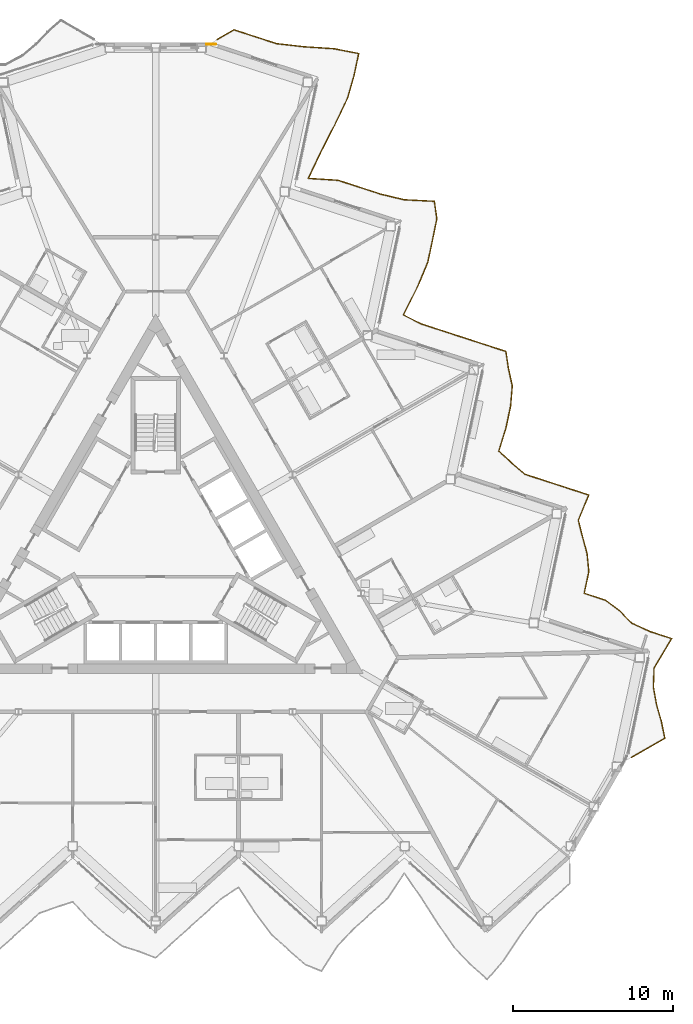
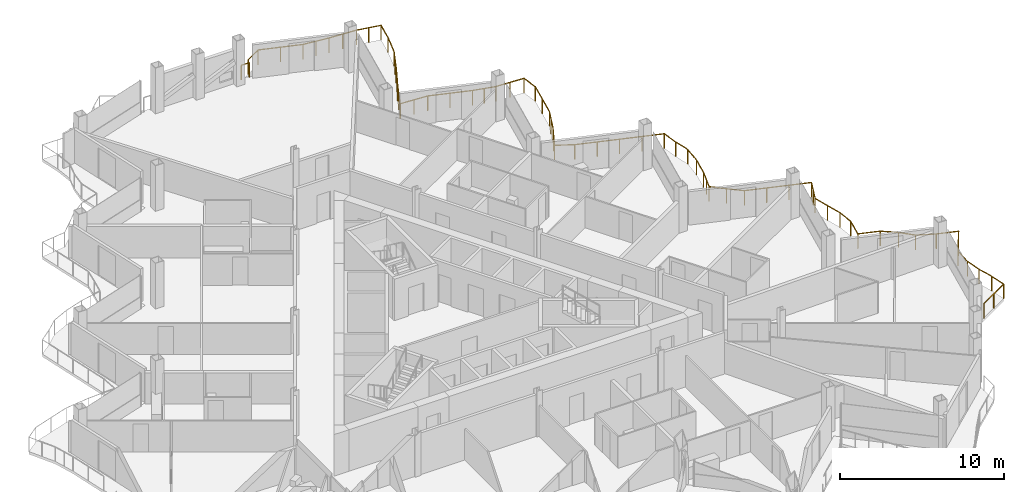
# One storey, part 26 of 28: 2 railings.
"""IFC4 building model written with IfcOpenShell, lengths in metres."""

from ifc_helpers import new_model, si_unit, direction, frame, origin, origin_2d, place, context, subcontext, project, spatial, circle, extrude, material, type_object, element, save


model = new_model("IFC4")

# Units and contexts
model_context = context("Model", 3, precision=1e-05, world=origin(), true_north=direction((0.0, 1.0)))
body_context = subcontext(model_context, "Body", "Model", "MODEL_VIEW")
ifc_project = project(units=[si_unit("LENGTHUNIT", "METRE"), si_unit("AREAUNIT", "SQUARE_METRE"), si_unit("VOLUMEUNIT", "CUBIC_METRE"), si_unit("PLANEANGLEUNIT", "RADIAN"), si_unit("MASSUNIT", "GRAM", prefix="KILO")], contexts=[model_context])

# Site, building, storey
site_placement = place(None, origin())
site = spatial("IfcSite", under=ifc_project, at=site_placement, CompositionType="ELEMENT")
building_placement = place(site_placement, origin())
building = spatial("IfcBuilding", under=site, at=building_placement, Name="Cormorant Prow Tower", CompositionType="ELEMENT")
storey_placement = place(building_placement, frame((0.0, 0.0, 301.800048828125)))
storey = spatial("IfcBuildingStorey", under=building, at=storey_placement, Name="L65", CompositionType="ELEMENT", Elevation=301.800048828125)

# Railings
ifc_material_1 = material(Name="Aluminium 6063-T6", Category="aluminium")
railing_type_1 = type_object("IfcRailingType", Name="Balcony guard 1100", PredefinedType="GUARDRAIL", material=ifc_material_1)
railing_1_placement = place(storey_placement, frame((29.80859375, -12.760009765625, 0.0)))
element("IfcRailing", 1, at=railing_1_placement, inside=storey, type_object=railing_type_1, Name="Balcony guard ENE", PredefinedType="GUARDRAIL", context=body_context, shape_type="SweptSolid", body=[
    extrude(circle(Radius=0.02392578125, at=origin_2d()), frame((0.0, 0.0, 1.076171875), z_axis=(0.866028295127, 0.499994992015, 0.0), x_axis=(-0.499994992015, 0.866028295127, 0.0)), (0.0, 0.0, 1.0), 2.40380859375),
    extrude(circle(Radius=0.02392578125, at=origin_2d()), frame((2.081787109375, 1.201904296875, 1.076171875), z_axis=(-0.202207057939, 0.979342792754, 0.0), x_axis=(-0.979342792754, -0.202207057939, 0.0)), (0.0, 0.0, 1.0), 1.093994140625),
    extrude(circle(Radius=0.02392578125, at=origin_2d()), frame((1.860595703125, 2.273193359375, 1.076171875), z_axis=(-0.276167758469, 0.961109447036, 0.0), x_axis=(-0.961109447036, -0.276167758469, 0.0)), (0.0, 0.0, 1.0), 1.069580078125),
    extrude(circle(Radius=0.02392578125, at=origin_2d()), frame((1.565185546875, 3.30126953125, 1.076171875), z_axis=(-0.17982077973, 0.983699388623, 0.0), x_axis=(-0.983699388623, -0.17982077973, 0.0)), (0.0, 0.0, 1.0), 1.1025390625),
    extrude(circle(Radius=0.02392578125, at=origin_2d()), frame((1.366943359375, 4.3857421875, 1.076171875), z_axis=(0.034901891856, 0.999390743376, 0.0), x_axis=(-0.999390743376, 0.034901891856, 0.0)), (0.0, 0.0, 1.0), 1.22412109375),
    extrude(circle(Radius=0.02392578125, at=origin_2d()), frame((1.40966796875, 5.609130859375, 1.076171875), z_axis=(0.514159813078, 0.857694401647, 0.0), x_axis=(-0.857694401647, 0.514159813078, 0.0)), (0.0, 0.0, 1.0), 2.1376953125),
    extrude(circle(Radius=0.02392578125, at=origin_2d()), frame((2.5087890625, 7.442626953125, 1.076171875), z_axis=(-0.951067455121, 0.308983326103, 0.0), x_axis=(-0.308983326103, -0.951067455121, 0.0)), (0.0, 0.0, 1.0), 1.39697265625),
    extrude(circle(Radius=0.02392578125, at=origin_2d()), frame((1.18017578125, 7.874267578125, 1.076171875), z_axis=(-0.910621709628, 0.413240973227, 0.0), x_axis=(-0.413240973227, -0.910621709628, 0.0)), (0.0, 0.0, 1.0), 1.276611328125),
    extrude(circle(Radius=0.02392578125, at=origin_2d()), frame((0.017578125, 8.40185546875, 1.076171875), z_axis=(-0.70173759295, 0.712435506303, 0.0), x_axis=(-0.712435506303, -0.70173759295, 0.0)), (0.0, 0.0, 1.0), 1.072509765625),
    extrude(circle(Radius=0.02392578125, at=origin_2d()), frame((-0.735107421875, 9.166015625, 1.076171875), z_axis=(-0.799142264692, 0.601141947283, 0.0), x_axis=(-0.601141947283, -0.799142264692, 0.0)), (0.0, 0.0, 1.0), 1.128173828125),
    extrude(circle(Radius=0.02392578125, at=origin_2d()), frame((-1.63671875, 9.84423828125, 1.076171875), z_axis=(-0.951016087818, 0.309141392751, 0.0), x_axis=(-0.309141392751, -0.951016087818, 0.0)), (0.0, 0.0, 1.0), 1.39697265625),
    extrude(circle(Radius=0.02392578125, at=origin_2d()), frame((-2.96533203125, 10.276123046875, 1.076171875), z_axis=(0.207965351097, 0.978136193351, 0.0), x_axis=(-0.978136193351, 0.207965351097, 0.0)), (0.0, 0.0, 1.0), 1.39697265625),
    extrude(circle(Radius=0.02392578125, at=origin_2d()), frame((-2.6748046875, 11.642578125, 1.076171875), z_axis=(-0.10014063101, 0.994973293119, 0.0), x_axis=(-0.994973293119, -0.10014063101, 0.0)), (0.0, 0.0, 1.0), 1.138427734375),
    extrude(circle(Radius=0.02392578125, at=origin_2d()), frame((-2.788818359375, 12.775390625, 1.076171875), z_axis=(-0.263617766506, 0.964627219802, 0.0), x_axis=(-0.964627219802, -0.263617766506, 0.0)), (0.0, 0.0, 1.0), 1.073486328125),
    extrude(circle(Radius=0.02392578125, at=origin_2d()), frame((-3.07177734375, 13.810791015625, 1.076171875), z_axis=(-0.243546445882, 0.969889235273, 0.0), x_axis=(-0.969889235273, -0.243546445882, 0.0)), (0.0, 0.0, 1.0), 1.07958984375),
    extrude(circle(Radius=0.02392578125, at=origin_2d()), frame((-3.334716796875, 14.85791015625, 1.076171875), z_axis=(0.382642581018, 0.923896452635, 0.0), x_axis=(-0.923896452635, 0.382642581018, 0.0)), (0.0, 0.0, 1.0), 1.70556640625),
    extrude(circle(Radius=0.02392578125, at=origin_2d()), frame((-2.68212890625, 16.43359375, 1.076171875), z_axis=(-0.951067455121, 0.308983326103, 0.0), x_axis=(-0.308983326103, -0.951067455121, 0.0)), (0.0, 0.0, 1.0), 1.39697265625),
    extrude(circle(Radius=0.02392578125, at=origin_2d()), frame((-4.0107421875, 16.865234375, 1.076171875), z_axis=(-0.951084135834, 0.308931977247, 0.0), x_axis=(-0.308931977247, -0.951084135834, 0.0)), (0.0, 0.0, 1.0), 1.397216796875),
    extrude(circle(Radius=0.02392578125, at=origin_2d()), frame((-5.339599609375, 17.296875, 1.076171875), z_axis=(-0.951067455121, 0.308983326103, 0.0), x_axis=(-0.308983326103, -0.951067455121, 0.0)), (0.0, 0.0, 1.0), 1.39697265625),
    extrude(circle(Radius=0.02392578125, at=origin_2d()), frame((-6.668212890625, 17.728515625, 1.076171875), z_axis=(-0.761737069825, 0.647886283582, 0.0), x_axis=(-0.647886283582, -0.761737069825, 0.0)), (0.0, 0.0, 1.0), 1.102294921875),
    extrude(circle(Radius=0.02392578125, at=origin_2d()), frame((-7.5078125, 18.442626953125, 1.076171875), z_axis=(-0.742626435866, 0.669705888248, 0.0), x_axis=(-0.669705888248, -0.742626435866, 0.0)), (0.0, 0.0, 1.0), 1.091552734375),
    extrude(circle(Radius=0.02392578125, at=origin_2d()), frame((-8.318359375, 19.173583984375, 1.076171875), z_axis=(0.296127914995, 0.955148291084, 0.0), x_axis=(-0.955148291084, 0.296127914995, 0.0)), (0.0, 0.0, 1.0), 1.528564453125),
    extrude(circle(Radius=0.02392578125, at=origin_2d()), frame((-7.86572265625, 20.633544921875, 1.076171875), z_axis=(0.207798139517, 0.978171729919, 0.0), x_axis=(-0.978171729919, 0.207798139517, 0.0)), (0.0, 0.0, 1.0), 1.39697265625),
    extrude(circle(Radius=0.02392578125, at=origin_2d()), frame((-7.575439453125, 22.0, 1.076171875), z_axis=(0.083988187629, 0.996466750242, 0.0), x_axis=(-0.996466750242, 0.083988187629, 0.0)), (0.0, 0.0, 1.0), 1.264404296875),
    extrude(circle(Radius=0.02392578125, at=origin_2d()), frame((-7.46923828125, 23.260009765625, 1.076171875), z_axis=(-0.216170602832, 0.976355606565, 0.0), x_axis=(-0.976355606565, -0.216170602832, 0.0)), (0.0, 0.0, 1.0), 1.088623046875),
    extrude(circle(Radius=0.02392578125, at=origin_2d()), frame((-7.70458984375, 24.322998046875, 1.076171875), z_axis=(-0.151168121977, 0.988508067189, 0.0), x_axis=(-0.988508067189, -0.151168121977, 0.0)), (0.0, 0.0, 1.0), 1.1142578125),
    extrude(circle(Radius=0.02392578125, at=origin_2d()), frame((-7.873046875, 25.424560546875, 1.076171875), z_axis=(-0.951084135834, 0.308931977247, 0.0), x_axis=(-0.308931977247, -0.951084135834, 0.0)), (0.0, 0.0, 1.0), 1.397216796875),
    extrude(circle(Radius=0.02392578125, at=origin_2d()), frame((-9.201904296875, 25.856201171875, 1.076171875), z_axis=(-0.951050766088, 0.309034691131, 0.0), x_axis=(-0.309034691131, -0.951050766088, 0.0)), (0.0, 0.0, 1.0), 1.396728515625),
    extrude(circle(Radius=0.02392578125, at=origin_2d()), frame((-10.5302734375, 26.287841796875, 1.076171875), z_axis=(-0.9510327847, 0.309090023174, 0.0), x_axis=(-0.309090023174, -0.9510327847, 0.0)), (0.0, 0.0, 1.0), 1.397216796875),
    extrude(circle(Radius=0.02392578125, at=origin_2d()), frame((-11.859130859375, 26.7197265625, 1.076171875), z_axis=(-0.951067455121, 0.308983326103, 0.0), x_axis=(-0.308983326103, -0.951067455121, 0.0)), (0.0, 0.0, 1.0), 1.39697265625),
    extrude(circle(Radius=0.02392578125, at=origin_2d()), frame((-13.187744140625, 27.1513671875, 1.076171875), z_axis=(-0.892410103967, 0.451225227949, 0.0), x_axis=(-0.451225227949, -0.892410103967, 0.0)), (0.0, 0.0, 1.0), 1.240234375),
    extrude(circle(Radius=0.02392578125, at=origin_2d()), frame((-14.29443359375, 27.7109375, 1.076171875), z_axis=(0.452393899594, 0.891818232382, 0.0), x_axis=(-0.891818232382, 0.452393899594, 0.0)), (0.0, 0.0, 1.0), 1.901123046875),
    extrude(circle(Radius=0.02392578125, at=origin_2d()), frame((-13.434326171875, 29.406494140625, 1.076171875), z_axis=(0.388463198386, 0.921464238861, 0.0), x_axis=(-0.921464238861, 0.388463198386, 0.0)), (0.0, 0.0, 1.0), 1.719482421875),
    extrude(circle(Radius=0.02392578125, at=origin_2d()), frame((-12.766357421875, 30.990966796875, 1.076171875), z_axis=(0.207965351097, 0.978136193351, 0.0), x_axis=(-0.978136193351, 0.207965351097, 0.0)), (0.0, 0.0, 1.0), 1.39697265625),
    extrude(circle(Radius=0.02392578125, at=origin_2d()), frame((-12.475830078125, 32.357421875, 1.076171875), z_axis=(0.202495261585, 0.979283242497, 0.0), x_axis=(-0.979283242497, 0.202495261585, 0.0)), (0.0, 0.0, 1.0), 1.39013671875),
    extrude(circle(Radius=0.02392578125, at=origin_2d()), frame((-12.1943359375, 33.71875, 1.076171875), z_axis=(-0.13839987533, 0.990376430711, 0.0), x_axis=(-0.990376430711, -0.13839987533, 0.0)), (0.0, 0.0, 1.0), 1.1201171875),
    extrude(circle(Radius=0.02392578125, at=origin_2d()), frame((-12.349365234375, 34.828125, 1.076171875), z_axis=(-0.998705371027, 0.050868279712, 0.0), x_axis=(-0.050868279712, -0.998705371027, 0.0)), (0.0, 0.0, 1.0), 1.91015625),
    extrude(circle(Radius=0.02392578125, at=origin_2d()), frame((-14.257080078125, 34.92529296875, 1.076171875), z_axis=(-0.972074559977, 0.23467221788, 0.0), x_axis=(-0.23467221788, -0.972074559977, 0.0)), (0.0, 0.0, 1.0), 1.50634765625),
    extrude(circle(Radius=0.02392578125, at=origin_2d()), frame((-15.721435546875, 35.27880859375, 1.076171875), z_axis=(-0.951067455121, 0.308983326103, 0.0), x_axis=(-0.308983326103, -0.951067455121, 0.0)), (0.0, 0.0, 1.0), 1.39697265625),
    extrude(circle(Radius=0.02392578125, at=origin_2d()), frame((-17.050048828125, 35.71044921875, 1.076171875), z_axis=(-0.951067455121, 0.308983326103, 0.0), x_axis=(-0.308983326103, -0.951067455121, 0.0)), (0.0, 0.0, 1.0), 1.39697265625),
    extrude(circle(Radius=0.02392578125, at=origin_2d()), frame((-18.378662109375, 36.14208984375, 1.076171875), z_axis=(-0.997958137122, 0.063871406373, 0.0), x_axis=(-0.063871406373, -0.997958137122, 0.0)), (0.0, 0.0, 1.0), 1.873046875),
    extrude(circle(Radius=0.02392578125, at=origin_2d()), frame((-20.247802734375, 36.26171875, 1.076171875), z_axis=(0.430073253651, 0.902793994494, 0.0), x_axis=(-0.902793994494, 0.430073253651, 0.0)), (0.0, 0.0, 1.0), 1.831787109375),
    extrude(circle(Radius=0.02392578125, at=origin_2d()), frame((-19.4599609375, 37.91552734375, 1.076171875), z_axis=(0.457371028949, 0.889275964973, 0.0), x_axis=(-0.889275964973, 0.457371028949, 0.0)), (0.0, 0.0, 1.0), 1.91748046875),
    extrude(circle(Radius=0.02392578125, at=origin_2d()), frame((-18.5830078125, 39.62060546875, 1.076171875), z_axis=(0.432000849801, 0.901873198277, 0.0), x_axis=(-0.901873198277, 0.432000849801, 0.0)), (0.0, 0.0, 1.0), 1.837158203125),
    extrude(circle(Radius=0.02392578125, at=origin_2d()), frame((-17.789306640625, 41.277587890625, 1.076171875), z_axis=(0.276230142763, 0.961091519175, 0.0), x_axis=(-0.961091519175, 0.276230142763, 0.0)), (0.0, 0.0, 1.0), 1.495361328125),
    extrude(circle(Radius=0.02392578125, at=origin_2d()), frame((-17.376220703125, 42.71484375, 1.076171875), z_axis=(0.207798139517, 0.978171729919, 0.0), x_axis=(-0.978171729919, 0.207798139517, 0.0)), (0.0, 0.0, 1.0), 1.39697265625),
    extrude(circle(Radius=0.02392578125, at=origin_2d()), frame((-17.0859375, 44.081298828125, 1.076171875), z_axis=(-0.981811369359, 0.189858987137, 0.0), x_axis=(-0.189858987137, -0.981811369359, 0.0)), (0.0, 0.0, 1.0), 1.584228515625),
    extrude(circle(Radius=0.02392578125, at=origin_2d()), frame((-18.641357421875, 44.382080078125, 1.076171875), z_axis=(-0.997911492588, 0.064596075432, 0.0), x_axis=(-0.064596075432, -0.997911492588, 0.0)), (0.0, 0.0, 1.0), 1.870849609375),
    extrude(circle(Radius=0.02392578125, at=origin_2d()), frame((-20.50830078125, 44.5029296875, 1.076171875), z_axis=(-0.993502406121, 0.113811111199, 0.0), x_axis=(-0.113811111199, -0.993502406121, 0.0)), (0.0, 0.0, 1.0), 1.743896484375),
    extrude(circle(Radius=0.02392578125, at=origin_2d()), frame((-22.240966796875, 44.701416015625, 1.076171875), z_axis=(-0.951016087818, 0.309141392751, 0.0), x_axis=(-0.309141392751, -0.951016087818, 0.0)), (0.0, 0.0, 1.0), 1.39697265625),
    extrude(circle(Radius=0.02392578125, at=origin_2d()), frame((-23.569580078125, 45.13330078125, 1.076171875), z_axis=(-0.951067455121, 0.308983326103, 0.0), x_axis=(-0.308983326103, -0.951067455121, 0.0)), (0.0, 0.0, 1.0), 1.39697265625),
    extrude(circle(Radius=0.02392578125, at=origin_2d()), frame((-24.898193359375, 45.56494140625, 1.076171875), z_axis=(-0.866005645448, -0.500034220881, 0.0), x_axis=(0.500034220881, -0.866005645448, 0.0)), (0.0, 0.0, 1.0), 1.22021484375),
    extrude(circle(Radius=0.02099609375, at=origin_2d()), origin(), (0.0, 0.0, 1.0), 1.052001953125),
    extrude(circle(Radius=0.02099609375, at=origin_2d()), frame((1.041015625, 0.60107421875, 0.0)), (0.0, 0.0, 1.0), 1.052001953125),
    extrude(circle(Radius=0.02099609375, at=origin_2d()), frame((2.081787109375, 1.201904296875, 0.0)), (0.0, 0.0, 1.0), 1.052001953125),
    extrude(circle(Radius=0.02099609375, at=origin_2d()), frame((1.860595703125, 2.273193359375, 0.0)), (0.0, 0.0, 1.0), 1.052001953125),
    extrude(circle(Radius=0.02099609375, at=origin_2d()), frame((1.565185546875, 3.30126953125, 0.0)), (0.0, 0.0, 1.0), 1.052001953125),
    extrude(circle(Radius=0.02099609375, at=origin_2d()), frame((1.366943359375, 4.3857421875, 0.0)), (0.0, 0.0, 1.0), 1.052001953125),
    extrude(circle(Radius=0.02099609375, at=origin_2d()), frame((1.40966796875, 5.609130859375, 0.0)), (0.0, 0.0, 1.0), 1.052001953125),
    extrude(circle(Radius=0.02099609375, at=origin_2d()), frame((1.959228515625, 6.52587890625, 0.0)), (0.0, 0.0, 1.0), 1.052001953125),
    extrude(circle(Radius=0.02099609375, at=origin_2d()), frame((2.5087890625, 7.442626953125, 0.0)), (0.0, 0.0, 1.0), 1.052001953125),
    extrude(circle(Radius=0.02099609375, at=origin_2d()), frame((1.18017578125, 7.874267578125, 0.0)), (0.0, 0.0, 1.0), 1.052001953125),
    extrude(circle(Radius=0.02099609375, at=origin_2d()), frame((0.017578125, 8.40185546875, 0.0)), (0.0, 0.0, 1.0), 1.052001953125),
    extrude(circle(Radius=0.02099609375, at=origin_2d()), frame((-0.735107421875, 9.166015625, 0.0)), (0.0, 0.0, 1.0), 1.052001953125),
    extrude(circle(Radius=0.02099609375, at=origin_2d()), frame((-1.63671875, 9.84423828125, 0.0)), (0.0, 0.0, 1.0), 1.052001953125),
    extrude(circle(Radius=0.02099609375, at=origin_2d()), frame((-2.96533203125, 10.276123046875, 0.0)), (0.0, 0.0, 1.0), 1.052001953125),
    extrude(circle(Radius=0.02099609375, at=origin_2d()), frame((-2.6748046875, 11.642578125, 0.0)), (0.0, 0.0, 1.0), 1.052001953125),
    extrude(circle(Radius=0.02099609375, at=origin_2d()), frame((-2.788818359375, 12.775390625, 0.0)), (0.0, 0.0, 1.0), 1.052001953125),
    extrude(circle(Radius=0.02099609375, at=origin_2d()), frame((-3.07177734375, 13.810791015625, 0.0)), (0.0, 0.0, 1.0), 1.052001953125),
    extrude(circle(Radius=0.02099609375, at=origin_2d()), frame((-3.334716796875, 14.85791015625, 0.0)), (0.0, 0.0, 1.0), 1.052001953125),
    extrude(circle(Radius=0.02099609375, at=origin_2d()), frame((-3.00830078125, 15.645751953125, 0.0)), (0.0, 0.0, 1.0), 1.052001953125),
    extrude(circle(Radius=0.02099609375, at=origin_2d()), frame((-2.68212890625, 16.43359375, 0.0)), (0.0, 0.0, 1.0), 1.052001953125),
    extrude(circle(Radius=0.02099609375, at=origin_2d()), frame((-4.0107421875, 16.865234375, 0.0)), (0.0, 0.0, 1.0), 1.052001953125),
    extrude(circle(Radius=0.02099609375, at=origin_2d()), frame((-5.339599609375, 17.296875, 0.0)), (0.0, 0.0, 1.0), 1.052001953125),
    extrude(circle(Radius=0.02099609375, at=origin_2d()), frame((-6.668212890625, 17.728515625, 0.0)), (0.0, 0.0, 1.0), 1.052001953125),
    extrude(circle(Radius=0.02099609375, at=origin_2d()), frame((-7.5078125, 18.442626953125, 0.0)), (0.0, 0.0, 1.0), 1.052001953125),
    extrude(circle(Radius=0.02099609375, at=origin_2d()), frame((-8.318359375, 19.173583984375, 0.0)), (0.0, 0.0, 1.0), 1.052001953125),
    extrude(circle(Radius=0.02099609375, at=origin_2d()), frame((-8.092041015625, 19.903564453125, 0.0)), (0.0, 0.0, 1.0), 1.052001953125),
    extrude(circle(Radius=0.02099609375, at=origin_2d()), frame((-7.86572265625, 20.633544921875, 0.0)), (0.0, 0.0, 1.0), 1.052001953125),
    extrude(circle(Radius=0.02099609375, at=origin_2d()), frame((-7.575439453125, 22.0, 0.0)), (0.0, 0.0, 1.0), 1.052001953125),
    extrude(circle(Radius=0.02099609375, at=origin_2d()), frame((-7.46923828125, 23.260009765625, 0.0)), (0.0, 0.0, 1.0), 1.052001953125),
    extrude(circle(Radius=0.02099609375, at=origin_2d()), frame((-7.70458984375, 24.322998046875, 0.0)), (0.0, 0.0, 1.0), 1.052001953125),
    extrude(circle(Radius=0.02099609375, at=origin_2d()), frame((-7.873046875, 25.424560546875, 0.0)), (0.0, 0.0, 1.0), 1.052001953125),
    extrude(circle(Radius=0.02099609375, at=origin_2d()), frame((-9.201904296875, 25.856201171875, 0.0)), (0.0, 0.0, 1.0), 1.052001953125),
    extrude(circle(Radius=0.02099609375, at=origin_2d()), frame((-10.5302734375, 26.287841796875, 0.0)), (0.0, 0.0, 1.0), 1.052001953125),
    extrude(circle(Radius=0.02099609375, at=origin_2d()), frame((-11.859130859375, 26.7197265625, 0.0)), (0.0, 0.0, 1.0), 1.052001953125),
    extrude(circle(Radius=0.02099609375, at=origin_2d()), frame((-13.187744140625, 27.1513671875, 0.0)), (0.0, 0.0, 1.0), 1.052001953125),
    extrude(circle(Radius=0.02099609375, at=origin_2d()), frame((-14.29443359375, 27.7109375, 0.0)), (0.0, 0.0, 1.0), 1.052001953125),
    extrude(circle(Radius=0.02099609375, at=origin_2d()), frame((-13.8642578125, 28.55859375, 0.0)), (0.0, 0.0, 1.0), 1.052001953125),
    extrude(circle(Radius=0.02099609375, at=origin_2d()), frame((-13.434326171875, 29.406494140625, 0.0)), (0.0, 0.0, 1.0), 1.052001953125),
    extrude(circle(Radius=0.02099609375, at=origin_2d()), frame((-13.100341796875, 30.19873046875, 0.0)), (0.0, 0.0, 1.0), 1.052001953125),
    extrude(circle(Radius=0.02099609375, at=origin_2d()), frame((-12.766357421875, 30.990966796875, 0.0)), (0.0, 0.0, 1.0), 1.052001953125),
    extrude(circle(Radius=0.02099609375, at=origin_2d()), frame((-12.475830078125, 32.357421875, 0.0)), (0.0, 0.0, 1.0), 1.052001953125),
    extrude(circle(Radius=0.02099609375, at=origin_2d()), frame((-12.1943359375, 33.71875, 0.0)), (0.0, 0.0, 1.0), 1.052001953125),
    extrude(circle(Radius=0.02099609375, at=origin_2d()), frame((-12.349365234375, 34.828125, 0.0)), (0.0, 0.0, 1.0), 1.052001953125),
    extrude(circle(Radius=0.02099609375, at=origin_2d()), frame((-13.30322265625, 34.876708984375, 0.0)), (0.0, 0.0, 1.0), 1.052001953125),
    extrude(circle(Radius=0.02099609375, at=origin_2d()), frame((-14.257080078125, 34.92529296875, 0.0)), (0.0, 0.0, 1.0), 1.052001953125),
    extrude(circle(Radius=0.02099609375, at=origin_2d()), frame((-14.9892578125, 35.10205078125, 0.0)), (0.0, 0.0, 1.0), 1.052001953125),
    extrude(circle(Radius=0.02099609375, at=origin_2d()), frame((-15.721435546875, 35.27880859375, 0.0)), (0.0, 0.0, 1.0), 1.052001953125),
    extrude(circle(Radius=0.02099609375, at=origin_2d()), frame((-17.050048828125, 35.71044921875, 0.0)), (0.0, 0.0, 1.0), 1.052001953125),
    extrude(circle(Radius=0.02099609375, at=origin_2d()), frame((-18.378662109375, 36.14208984375, 0.0)), (0.0, 0.0, 1.0), 1.052001953125),
    extrude(circle(Radius=0.02099609375, at=origin_2d()), frame((-19.313232421875, 36.201904296875, 0.0)), (0.0, 0.0, 1.0), 1.052001953125),
    extrude(circle(Radius=0.02099609375, at=origin_2d()), frame((-20.247802734375, 36.26171875, 0.0)), (0.0, 0.0, 1.0), 1.052001953125),
    extrude(circle(Radius=0.02099609375, at=origin_2d()), frame((-19.85400390625, 37.088623046875, 0.0)), (0.0, 0.0, 1.0), 1.052001953125),
    extrude(circle(Radius=0.02099609375, at=origin_2d()), frame((-19.4599609375, 37.91552734375, 0.0)), (0.0, 0.0, 1.0), 1.052001953125),
    extrude(circle(Radius=0.02099609375, at=origin_2d()), frame((-19.021484375, 38.76806640625, 0.0)), (0.0, 0.0, 1.0), 1.052001953125),
    extrude(circle(Radius=0.02099609375, at=origin_2d()), frame((-18.5830078125, 39.62060546875, 0.0)), (0.0, 0.0, 1.0), 1.052001953125),
    extrude(circle(Radius=0.02099609375, at=origin_2d()), frame((-18.18603515625, 40.44921875, 0.0)), (0.0, 0.0, 1.0), 1.052001953125),
    extrude(circle(Radius=0.02099609375, at=origin_2d()), frame((-17.789306640625, 41.277587890625, 0.0)), (0.0, 0.0, 1.0), 1.052001953125),
    extrude(circle(Radius=0.02099609375, at=origin_2d()), frame((-17.376220703125, 42.71484375, 0.0)), (0.0, 0.0, 1.0), 1.052001953125),
    extrude(circle(Radius=0.02099609375, at=origin_2d()), frame((-17.0859375, 44.081298828125, 0.0)), (0.0, 0.0, 1.0), 1.052001953125),
    extrude(circle(Radius=0.02099609375, at=origin_2d()), frame((-17.86376953125, 44.231689453125, 0.0)), (0.0, 0.0, 1.0), 1.052001953125),
    extrude(circle(Radius=0.02099609375, at=origin_2d()), frame((-18.641357421875, 44.382080078125, 0.0)), (0.0, 0.0, 1.0), 1.052001953125),
    extrude(circle(Radius=0.02099609375, at=origin_2d()), frame((-19.57470703125, 44.4423828125, 0.0)), (0.0, 0.0, 1.0), 1.052001953125),
    extrude(circle(Radius=0.02099609375, at=origin_2d()), frame((-20.50830078125, 44.5029296875, 0.0)), (0.0, 0.0, 1.0), 1.052001953125),
    extrude(circle(Radius=0.02099609375, at=origin_2d()), frame((-21.37451171875, 44.60205078125, 0.0)), (0.0, 0.0, 1.0), 1.052001953125),
    extrude(circle(Radius=0.02099609375, at=origin_2d()), frame((-22.240966796875, 44.701416015625, 0.0)), (0.0, 0.0, 1.0), 1.052001953125),
    extrude(circle(Radius=0.02099609375, at=origin_2d()), frame((-23.569580078125, 45.13330078125, 0.0)), (0.0, 0.0, 1.0), 1.052001953125),
    extrude(circle(Radius=0.02099609375, at=origin_2d()), frame((-24.898193359375, 45.56494140625, 0.0)), (0.0, 0.0, 1.0), 1.052001953125),
    extrude(circle(Radius=0.02099609375, at=origin_2d()), frame((-25.954833984375, 44.954833984375, 0.0)), (0.0, 0.0, 1.0), 1.052001953125),
])
ifc_material_2 = material(Name="Stainless steel", Category="steel")
railing_type_2 = type_object("IfcRailingType", Name="Facade corner guard 1100", PredefinedType="GUARDRAIL", material=ifc_material_2)
railing_2_placement = place(storey_placement, frame((3.19384765625, 31.89990234375, 0.0)))
element("IfcRailing", 2, at=railing_2_placement, inside=storey, type_object=railing_type_2, Name="Facade corner guard L65 2", PredefinedType="GUARDRAIL", context=body_context, shape_type="SweptSolid", body=[
    extrude(circle(Radius=0.02392578125, at=origin_2d()), frame((0.0, 0.0, 1.076171875), z_axis=(1.0, 0.0, 0.0), x_axis=(0.0, 1.0, 0.0)), (0.0, 0.0, 1.0), 0.571044921875),
    extrude(circle(Radius=0.02099609375, at=origin_2d()), origin(), (0.0, 0.0, 1.0), 1.052001953125),
    extrude(circle(Radius=0.02099609375, at=origin_2d()), frame((0.571044921875, 0.0, 0.0)), (0.0, 0.0, 1.0), 1.052001953125),
])

save(model, "model.ifc")
